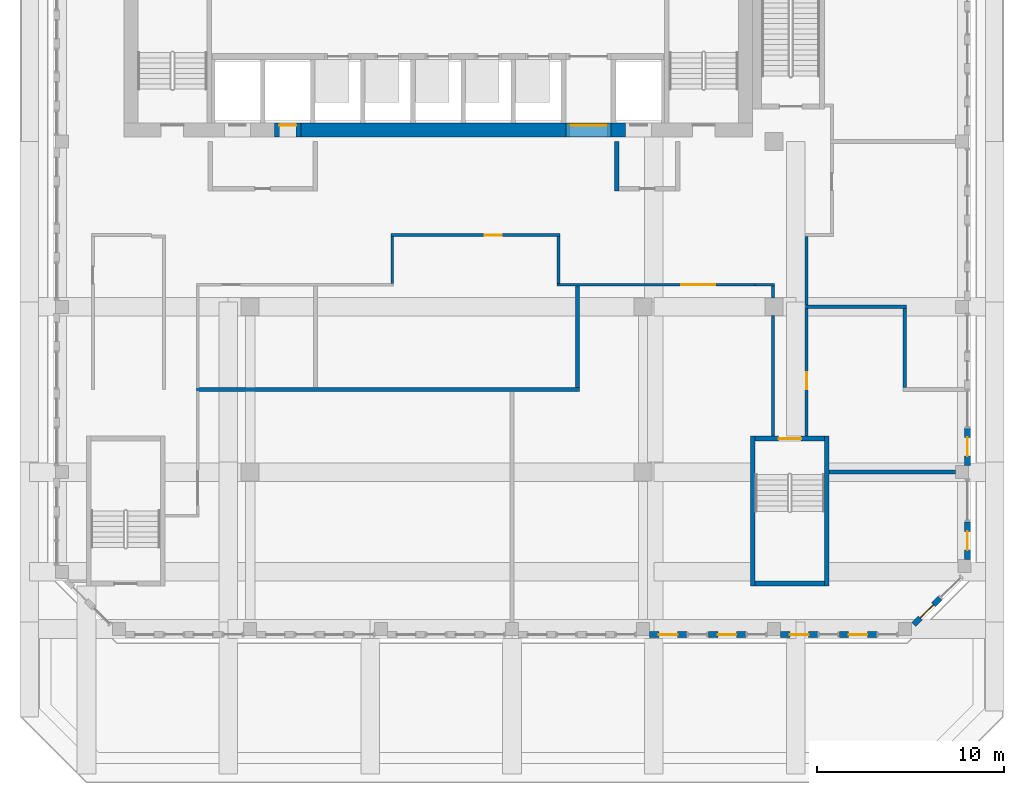
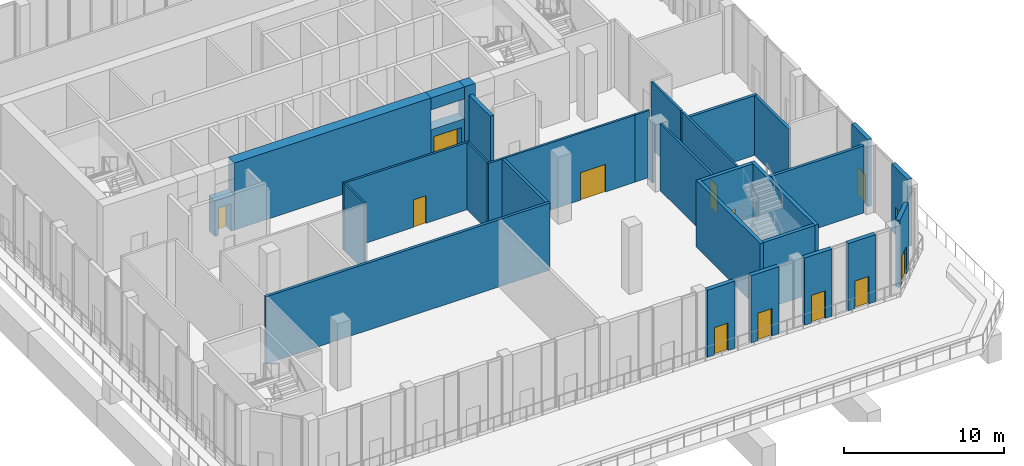
# One storey, part 10 of 18: 31 walls, 13 doors, 13 openings.
"""IFC4 building model written with IfcOpenShell, lengths in metres."""

from ifc_helpers import new_model, si_unit, direction, frame, frame_2d, origin, place, context, subcontext, project, spatial, rectangle, extrude, source, transform, mapped, material, layer, layer_set, type_object, element, fill, save


model = new_model("IFC4")

# Units and contexts
model_context = context("Model", 3, precision=1e-05, world=origin(), true_north=direction((0.0, 1.0)))
body_context = subcontext(model_context, "Body", "Model", "MODEL_VIEW")
ifc_project = project(units=[si_unit("LENGTHUNIT", "METRE"), si_unit("AREAUNIT", "SQUARE_METRE"), si_unit("VOLUMEUNIT", "CUBIC_METRE"), si_unit("PLANEANGLEUNIT", "RADIAN"), si_unit("MASSUNIT", "GRAM", prefix="KILO")], contexts=[model_context])

# Site, building, storey
site_placement = place(None, origin())
site = spatial("IfcSite", under=ifc_project, at=site_placement, CompositionType="ELEMENT")
building_placement = place(site_placement, origin())
building = spatial("IfcBuilding", under=site, at=building_placement, Name="Kilnfold Tower and Market Hall", CompositionType="ELEMENT")
storey_placement = place(building_placement, frame((0.0, 0.0, 233.60009765625)))
storey = spatial("IfcBuildingStorey", under=building, at=storey_placement, Name="L56", CompositionType="ELEMENT", Elevation=233.60009765625)

# Wall, opening, door
ifc_material_1 = material(Name="Gypsum board on steel studs", Category="steel")
ifc_layer_1 = layer(ifc_material_1, 0.14990234375)
ifc_layer_set_1 = layer_set([ifc_layer_1], Name="Gypsum board on steel studs")
wall_type_1 = type_object("IfcWallType", Name="WALL CORRIDOR 150", PredefinedType="PARTITIONING", material=ifc_layer_set_1)
wall_1_placement = place(storey_placement, frame((7.405029296875, 0.35009765625, 0.0), z_axis=(0.0, 0.0, 1.0), x_axis=(1.0, 0.0, 0.0)))
wall_1 = element("IfcWall", 1, at=wall_1_placement, inside=storey, type_object=wall_type_1, Name="Partition LY34.10", PredefinedType="PARTITIONING", context=body_context, shape_type="SweptSolid", body=[
    extrude(rectangle(XDim=10.573974609375, YDim=0.14990234375, at=frame_2d((5.287109375, 0.0))), origin(), (0.0, 0.0, 1.0), 5.119873046875),
])
opening_1_placement = place(wall_1_placement, frame((6.65087890625, 0.0, 0.0)))
opening_1 = element("IfcOpeningElement", 2, at=opening_1_placement, cuts=wall_1, Name="Opening D5", PredefinedType="OPENING", context=body_context, shape_type="SweptSolid", body=[
    extrude(rectangle(XDim=1.800048828125, YDim=2.10009765625, at=frame_2d((0.89990234375, 1.050048828125))), frame((0.0, 0.0849609375, 0.0), z_axis=(0.0, -1.0, 0.0), x_axis=(1.0, 0.0, 0.0)), (0.0, 0.0, 1.0), 0.169921875),
])
ifc_material_2 = material(Name="Timber veneer door leaf in steel frame", Category="steel")
door_type_1 = type_object("IfcDoorType", Name="DOOR DOUBLE 1800 X2100", OperationType="NOTDEFINED", PredefinedType="DOOR", material=ifc_material_2)
door_1_placement = place(opening_1_placement, origin())
door_1 = element("IfcDoor", 3, at=door_1_placement, inside=storey, type_object=door_type_1, Name="Door D5", OperationType="DOUBLE_DOOR_SINGLE_SWING", OverallHeight=2.10009765625, OverallWidth=1.800048828125, PredefinedType="DOOR", context=body_context, shape_type="SweptSolid", body=[
    extrude(rectangle(XDim=1.800048828125, YDim=2.10009765625, at=frame_2d((0.89990234375, 1.050048828125))), frame((0.0, 0.02490234375, 0.0), z_axis=(0.0, -1.0, 0.0), x_axis=(1.0, 0.0, 0.0)), (0.0, 0.0, 1.0), 0.050048828125),
])
fill(opening_1, door_1)

# Wall
wall_2_placement = place(storey_placement, frame((7.47998046875, 2.925048828125, 0.0), z_axis=(0.0, 0.0, 1.0), x_axis=(0.0, -1.0, 0.0)))
element("IfcWall", 4, at=wall_2_placement, inside=storey, type_object=wall_type_1, Name="Partition LY34.11", PredefinedType="PARTITIONING", context=body_context, shape_type="SweptSolid", body=[
    extrude(rectangle(XDim=2.5, YDim=0.14990234375, at=frame_2d((1.25, 0.0))), origin(), (0.0, 0.0, 1.0), 5.119873046875),
])

# Wall, opening, door
wall_3_placement = place(storey_placement, frame((-1.47509765625, 3.0, 0.0), z_axis=(0.0, 0.0, 1.0), x_axis=(1.0, 0.0, 0.0)))
wall_3 = element("IfcWall", 5, at=wall_3_placement, inside=storey, type_object=wall_type_1, Name="Partition LY34.12", PredefinedType="PARTITIONING", context=body_context, shape_type="SweptSolid", body=[
    extrude(rectangle(XDim=9.030029296875, YDim=0.14990234375, at=frame_2d((4.51513671875, 0.0))), origin(), (0.0, 0.0, 1.0), 5.119873046875),
])
opening_2_placement = place(wall_3_placement, frame((5.01904296875, 0.0, 0.0)))
opening_2 = element("IfcOpeningElement", 6, at=opening_2_placement, cuts=wall_3, Name="Opening D2", PredefinedType="OPENING", context=body_context, shape_type="SweptSolid", body=[
    extrude(rectangle(XDim=0.89990234375, YDim=2.10009765625, at=frame_2d((0.449951171875, 1.050048828125))), frame((0.0, 0.0849609375, 0.0), z_axis=(0.0, -1.0, 0.0), x_axis=(1.0, 0.0, 0.0)), (0.0, 0.0, 1.0), 0.169921875),
])
ifc_material_3 = material(Name="Timber veneer door leaf in steel frame", Category="steel")
door_type_2 = type_object("IfcDoorType", Name="DOOR ROOM 900 X2100", OperationType="NOTDEFINED", PredefinedType="DOOR", material=ifc_material_3)
door_2_placement = place(opening_2_placement, origin())
door_2 = element("IfcDoor", 7, at=door_2_placement, inside=storey, type_object=door_type_2, Name="Door D2", OperationType="SINGLE_SWING_LEFT", OverallHeight=2.10009765625, OverallWidth=0.89990234375, PredefinedType="DOOR", context=body_context, shape_type="SweptSolid", body=[
    extrude(rectangle(XDim=0.89990234375, YDim=2.10009765625, at=frame_2d((0.449951171875, 1.050048828125))), frame((0.0, 0.02490234375, 0.0), z_axis=(0.0, -1.0, 0.0), x_axis=(1.0, 0.0, 0.0)), (0.0, 0.0, 1.0), 0.050048828125),
])
fill(opening_2, door_2)

# Walls
wall_4_placement = place(storey_placement, frame((-1.39990234375, 0.425048828125, 0.0), z_axis=(0.0, 0.0, 1.0), x_axis=(0.0, 1.0, 0.0)))
element("IfcWall", 8, at=wall_4_placement, inside=storey, type_object=wall_type_1, Name="Partition LY34.13", PredefinedType="PARTITIONING", context=body_context, shape_type="SweptSolid", body=[
    extrude(rectangle(XDim=2.5, YDim=0.14990234375, at=frame_2d((1.25, 0.0))), origin(), (0.0, 0.0, 1.0), 5.119873046875),
])
wall_5_placement = place(storey_placement, frame((18.949951171875, -7.75, 0.0), z_axis=(0.0, 0.0, 1.0), x_axis=(0.0, 1.0, 0.0)))
element("IfcWall", 9, at=wall_5_placement, inside=storey, type_object=wall_type_1, Name="Partition LY34.14", PredefinedType="PARTITIONING", context=body_context, shape_type="SweptSolid", body=[
    extrude(rectangle(XDim=6.44189453125, YDim=0.14990234375, at=frame_2d((3.220947265625, 0.0))), origin(), (0.0, 0.0, 1.0), 5.119873046875),
])
wall_6_placement = place(storey_placement, frame((18.949951171875, -0.35791015625, 0.0), z_axis=(0.0, 0.0, 1.0), x_axis=(0.0, 1.0, 0.0)))
element("IfcWall", 10, at=wall_6_placement, inside=storey, type_object=wall_type_1, Name="Partition LY34.15", PredefinedType="PARTITIONING", context=body_context, shape_type="SweptSolid", body=[
    extrude(rectangle(XDim=0.630859375, YDim=0.14990234375, at=frame_2d((0.3154296875, 0.0))), origin(), (0.0, 0.0, 1.0), 4.56982421875),
])
wall_7_placement = place(storey_placement, frame((17.98095703125, 0.347900390625, 0.0), z_axis=(0.0, 0.0, 1.0), x_axis=(1.0, 0.0, 0.0)))
element("IfcWall", 11, at=wall_7_placement, inside=storey, type_object=wall_type_1, Name="Partition LY34.16", PredefinedType="PARTITIONING", context=body_context, shape_type="SweptSolid", body=[
    extrude(rectangle(XDim=1.0439453125, YDim=0.14990234375, at=frame_2d((0.52197265625, 0.0))), origin(), (0.0, 0.0, 1.0), 5.119873046875),
])

# Wall, opening, door
wall_8_placement = place(storey_placement, frame((20.75, -7.75, 0.0), z_axis=(0.0, 0.0, 1.0), x_axis=(0.0, 1.0, 0.0)))
wall_8 = element("IfcWall", 12, at=wall_8_placement, inside=storey, type_object=wall_type_1, Name="Partition LY34.17", PredefinedType="PARTITIONING", context=body_context, shape_type="SweptSolid", body=[
    extrude(rectangle(XDim=6.826904296875, YDim=0.14990234375, at=frame_2d((3.41357421875, 0.0))), origin(), (0.0, 0.0, 1.0), 5.119873046875),
])
opening_3_placement = place(wall_8_placement, frame((2.510986328125, 0.0, 0.0)))
opening_3 = element("IfcOpeningElement", 13, at=opening_3_placement, cuts=wall_8, Name="Opening D2", PredefinedType="OPENING", context=body_context, shape_type="SweptSolid", body=[
    extrude(rectangle(XDim=0.89990234375, YDim=2.10009765625, at=frame_2d((0.449951171875, 1.050048828125))), frame((0.0, 0.0849609375, 0.0), z_axis=(0.0, -1.0, 0.0), x_axis=(1.0, 0.0, 0.0)), (0.0, 0.0, 1.0), 0.169921875),
])
door_3_placement = place(opening_3_placement, origin())
door_3 = element("IfcDoor", 14, at=door_3_placement, inside=storey, type_object=door_type_2, Name="Door D2", OperationType="SINGLE_SWING_RIGHT", OverallHeight=2.10009765625, OverallWidth=0.89990234375, PredefinedType="DOOR", context=body_context, shape_type="SweptSolid", body=[
    extrude(rectangle(XDim=0.89990234375, YDim=2.10009765625, at=frame_2d((0.449951171875, 1.050048828125))), frame((0.0, 0.02490234375, 0.0), z_axis=(0.0, -1.0, 0.0), x_axis=(1.0, 0.0, 0.0)), (0.0, 0.0, 1.0), 0.050048828125),
])
fill(opening_3, door_3)

# Walls
wall_9_placement = place(storey_placement, frame((20.75, -0.742919921875, 0.0), z_axis=(0.0, 0.0, 1.0), x_axis=(0.0, 1.0, 0.0)))
element("IfcWall", 15, at=wall_9_placement, inside=storey, type_object=wall_type_1, Name="Partition LY34.20", PredefinedType="PARTITIONING", context=body_context, shape_type="SweptSolid", body=[
    extrude(rectangle(XDim=3.66796875, YDim=0.14990234375, at=frame_2d((1.833984375, 0.0))), origin(), (0.0, 0.0, 1.0), 5.119873046875),
])
ifc_material_4 = material(Name="Gypsum board on steel studs", Category="steel")
ifc_layer_2 = layer(ifc_material_4, 0.199951171875)
ifc_layer_set_2 = layer_set([ifc_layer_2], Name="Gypsum board on steel studs")
wall_type_2 = type_object("IfcWallType", Name="WALL PARTY 200", PredefinedType="PARTITIONING", material=ifc_layer_set_2)
wall_10_placement = place(storey_placement, frame((-11.873046875, -5.25, 0.0), z_axis=(0.0, 0.0, 1.0), x_axis=(1.0, 0.0, 0.0)))
element("IfcWall", 16, at=wall_10_placement, inside=storey, type_object=wall_type_2, Name="Partition LY34.26", PredefinedType="PARTITIONING", context=body_context, shape_type="SweptSolid", body=[
    extrude(rectangle(XDim=20.47314453125, YDim=0.199951171875, at=frame_2d((10.236572265625, 0.0))), origin(), (0.0, 0.0, 1.0), 5.119873046875),
])
wall_11_placement = place(storey_placement, frame((8.5, -5.14990234375, 0.0), z_axis=(0.0, 0.0, 1.0), x_axis=(0.0, 1.0, 0.0)))
element("IfcWall", 17, at=wall_11_placement, inside=storey, type_object=wall_type_2, Name="Partition LY34.29", PredefinedType="PARTITIONING", context=body_context, shape_type="SweptSolid", body=[
    extrude(rectangle(XDim=5.4228515625, YDim=0.199951171875, at=frame_2d((2.71142578125, 0.0))), origin(), (0.0, 0.0, 1.0), 5.119873046875),
])
wall_12_placement = place(storey_placement, frame((28.699951171875, -9.6669921875, 0.0), z_axis=(0.0, 0.0, 1.0), x_axis=(-1.0, 0.0, 0.0)))
element("IfcWall", 18, at=wall_12_placement, inside=storey, type_object=wall_type_2, Name="Partition LY34.30", PredefinedType="PARTITIONING", context=body_context, shape_type="SweptSolid", body=[
    extrude(rectangle(XDim=6.75, YDim=0.199951171875, at=frame_2d((3.375, 0.0))), origin(), (0.0, 0.0, 1.0), 5.119873046875),
])
wall_13_placement = place(storey_placement, frame((26.10009765625, -0.8330078125, 0.0), z_axis=(0.0, 0.0, 1.0), x_axis=(-1.0, 0.0, 0.0)))
element("IfcWall", 19, at=wall_13_placement, inside=storey, type_object=wall_type_2, Name="Partition LY34.31", PredefinedType="PARTITIONING", context=body_context, shape_type="SweptSolid", body=[
    extrude(rectangle(XDim=5.423095703125, YDim=0.199951171875, at=frame_2d((2.71142578125, 0.0))), origin(), (0.0, 0.0, 1.0), 4.56982421875),
])
wall_14_placement = place(storey_placement, frame((26.0, -5.14990234375, 0.0), z_axis=(0.0, 0.0, 1.0), x_axis=(0.0, 1.0, 0.0)))
element("IfcWall", 20, at=wall_14_placement, inside=storey, type_object=wall_type_2, Name="Partition LY34.32", PredefinedType="PARTITIONING", context=body_context, shape_type="SweptSolid", body=[
    extrude(rectangle(XDim=4.216796875, YDim=0.199951171875, at=frame_2d((2.1083984375, 0.0))), origin(), (0.0, 0.0, 1.0), 4.56982421875),
])
ifc_material_5 = material(Name="Concrete C60", Category="concrete")
ifc_layer_3 = layer(ifc_material_5, 0.75)
ifc_layer_set_3 = layer_set([ifc_layer_3], Name="Concrete C60")
wall_type_3 = type_object("IfcWallType", Name="CORE WALL 750 C60", PredefinedType="SHEAR", material=ifc_layer_set_3)
shared_shape_1 = source(origin(), body_context, "Body", "SweptSolid", [
    extrude(rectangle(XDim=14.179931640625, YDim=0.75, at=frame_2d((7.08984375, 0.0))), origin(), (0.0, 0.0, 1.0), 5.119873046875),
])
wall_15_placement = place(storey_placement, frame((-6.2900390625, 8.625, 0.0), z_axis=(0.0, 0.0, 1.0), x_axis=(1.0, 0.0, 0.0)))
element("IfcWall", 21, at=wall_15_placement, inside=storey, type_object=wall_type_3, Name="Core outer wall south", PredefinedType="SHEAR", context=body_context, shape_type="MappedRepresentation", body=[
    mapped(shared_shape_1, transform((0.0, 0.0, 0.0))),
])
shared_shape_2 = source(origin(), body_context, "Body", "SweptSolid", [
    extrude(rectangle(XDim=0.780029296875, YDim=0.75, at=frame_2d((0.39013671875, 0.0))), origin(), (0.0, 0.0, 1.0), 5.119873046875),
])
wall_16_placement = place(storey_placement, frame((10.2900390625, 8.625, 0.0), z_axis=(0.0, 0.0, 1.0), x_axis=(1.0, 0.0, 0.0)))
element("IfcWall", 22, at=wall_16_placement, inside=storey, type_object=wall_type_3, Name="Core outer wall south", PredefinedType="SHEAR", context=body_context, shape_type="MappedRepresentation", body=[
    mapped(shared_shape_2, transform((0.0, 0.0, 0.0))),
])
ifc_material_6 = material(Name="Concrete C60", Category="concrete")
ifc_layer_4 = layer(ifc_material_6, 0.25)
ifc_layer_set_4 = layer_set([ifc_layer_4], Name="Concrete C60")
wall_type_4 = type_object("IfcWallType", Name="CORE WALL 250 C60", PredefinedType="SHEAR", material=ifc_layer_set_4)
shared_shape_3 = source(origin(), body_context, "Body", "SweptSolid", [
    extrude(rectangle(XDim=3.699951171875, YDim=0.25, at=frame_2d((1.85009765625, 0.0))), origin(), (0.0, 0.0, 1.0), 5.119873046875),
])
wall_17_placement = place(storey_placement, frame((18.0, -15.625, 0.0), z_axis=(0.0, 0.0, 1.0), x_axis=(1.0, 0.0, 0.0)))
element("IfcWall", 23, at=wall_17_placement, inside=storey, type_object=wall_type_4, Name="Stair enclosure ST4", PredefinedType="SHEAR", context=body_context, shape_type="MappedRepresentation", body=[
    mapped(shared_shape_3, transform((0.0, 0.0, 0.0))),
])

# Wall, opening, door
wall_18_placement = place(storey_placement, frame((18.0, -7.875, 0.0), z_axis=(0.0, 0.0, 1.0), x_axis=(1.0, 0.0, 0.0)))
wall_18 = element("IfcWall", 24, at=wall_18_placement, inside=storey, type_object=wall_type_4, Name="Stair enclosure ST4", PredefinedType="SHEAR", context=body_context, shape_type="MappedRepresentation", body=[
    mapped(shared_shape_3, transform((0.0, 0.0, 0.0))),
])
opening_4_placement = place(wall_18_placement, frame((1.25, 0.0, 0.0)))
opening_4 = element("IfcOpeningElement", 25, at=opening_4_placement, cuts=wall_18, Name="Opening SD1", PredefinedType="OPENING", context=body_context, shape_type="SweptSolid", body=[
    extrude(rectangle(XDim=1.199951171875, YDim=2.10009765625, at=frame_2d((0.60009765625, 1.050048828125))), frame((0.0, 0.135009765625, 0.0), z_axis=(0.0, -1.0, 0.0), x_axis=(1.0, 0.0, 0.0)), (0.0, 0.0, 1.0), 0.27001953125),
])
ifc_material_7 = material(Name="Steel door set with fire-resisting leaf", Category="steel")
door_type_3 = type_object("IfcDoorType", Name="STAIR FLOOR DOOR 1200X2100", OperationType="NOTDEFINED", PredefinedType="DOOR", material=ifc_material_7)
door_4_placement = place(opening_4_placement, origin())
door_4 = element("IfcDoor", 26, at=door_4_placement, inside=storey, type_object=door_type_3, Name="Exit stair ST4 door", OperationType="DOUBLE_DOOR_SINGLE_SWING", OverallHeight=2.10009765625, OverallWidth=1.199951171875, PredefinedType="DOOR", context=body_context, shape_type="SweptSolid", body=[
    extrude(rectangle(XDim=1.199951171875, YDim=2.10009765625, at=frame_2d((0.60009765625, 1.050048828125))), frame((0.0, 0.02490234375, 0.0), z_axis=(0.0, -1.0, 0.0), x_axis=(1.0, 0.0, 0.0)), (0.0, 0.0, 1.0), 0.050048828125),
])
fill(opening_4, door_4)

# Walls
shared_shape_4 = source(origin(), body_context, "Body", "SweptSolid", [
    extrude(rectangle(XDim=8.0, YDim=0.25, at=frame_2d((4.0, 0.0))), origin(), (0.0, 0.0, 1.0), 5.119873046875),
])
for number, where, z_axis, x_axis, name in (
    (27, (17.875, -15.75, 0.0), (0.0, 0.0, 1.0), (0.0, 1.0, 0.0), "Stair enclosure ST4"),
    (28, (21.824951171875, -15.75, 0.0), (0.0, 0.0, 1.0), (0.0, 1.0, 0.0), "Stair enclosure ST4"),
):
    element("IfcWall", number, at=place(storey_placement, frame(where, z_axis=z_axis, x_axis=x_axis)), inside=storey, type_object=wall_type_4, Name=name, PredefinedType="SHEAR", context=body_context, shape_type="MappedRepresentation", body=[
        mapped(shared_shape_4, transform((0.0, 0.0, 0.0))),
    ])
shared_shape_5 = source(origin(), body_context, "Body", "SweptSolid", [
    extrude(rectangle(XDim=2.400146484375, YDim=0.75, at=frame_2d((1.2001953125, 0.0))), origin(), (0.0, 0.0, 1.0), 0.919921875),
])
wall_19_placement = place(storey_placement, frame((7.889892578125, 8.625, 4.199951171875), z_axis=(0.0, 0.0, 1.0), x_axis=(1.0, 0.0, 0.0)))
element("IfcWall", 29, at=wall_19_placement, inside=storey, type_object=wall_type_3, Name="Core wall over opening", PredefinedType="SHEAR", context=body_context, shape_type="MappedRepresentation", body=[
    mapped(shared_shape_5, transform((0.0, 0.0, 0.0))),
])

# Wall, opening, door
ifc_material_8 = material(Name="Precast concrete C50/60", Category="concrete")
ifc_layer_5 = layer(ifc_material_8, 0.300048828125)
ifc_layer_set_5 = layer_set([ifc_layer_5], Name="Precast concrete C50/60")
wall_type_5 = type_object("IfcWallType", Name="PRECAST WALL 300", PredefinedType="SOLIDWALL", material=ifc_layer_set_5)
shared_shape_6 = source(origin(), body_context, "Body", "SweptSolid", [
    extrude(rectangle(XDim=2.0, YDim=0.300048828125, at=frame_2d((1.0, 0.0))), origin(), (0.0, 0.0, 1.0), 5.119873046875),
])
wall_20_placement = place(storey_placement, frame((12.35009765625, -18.35009765625, 0.0), z_axis=(0.0, 0.0, 1.0), x_axis=(1.0, 0.0, 0.0)))
wall_20 = element("IfcWall", 30, at=wall_20_placement, inside=storey, type_object=wall_type_5, Name="External wall L56 S", PredefinedType="SOLIDWALL", context=body_context, shape_type="MappedRepresentation", body=[
    mapped(shared_shape_6, transform((0.0, 0.0, 0.0))),
])
opening_5_placement = place(wall_20_placement, frame((0.5, 0.0, 0.0)))
opening_5 = element("IfcOpeningElement", 31, at=opening_5_placement, cuts=wall_20, Name="Opening BD1", PredefinedType="OPENING", context=body_context, shape_type="SweptSolid", body=[
    extrude(rectangle(XDim=1.0, YDim=2.10009765625, at=frame_2d((0.5, 1.050048828125))), frame((0.0, 0.16015625, 0.0), z_axis=(0.0, -1.0, 0.0), x_axis=(1.0, 0.0, 0.0)), (0.0, 0.0, 1.0), 0.320068359375),
])
ifc_material_9 = material(Name="Aluminium frame and double glazing", Category="aluminium")
door_type_4 = type_object("IfcDoorType", Name="BALCONY DOOR 1000X2100", OperationType="NOTDEFINED", PredefinedType="DOOR", material=ifc_material_9)
door_5_placement = place(opening_5_placement, origin())
door_5 = element("IfcDoor", 32, at=door_5_placement, inside=storey, type_object=door_type_4, Name="Balcony door BD1 L56 S-1", OperationType="SINGLE_SWING_LEFT", OverallHeight=2.10009765625, OverallWidth=1.0, PredefinedType="DOOR", context=body_context, shape_type="SweptSolid", body=[
    extrude(rectangle(XDim=1.0, YDim=2.10009765625, at=frame_2d((0.5, 1.050048828125))), frame((0.0, 0.02490234375, 0.0), z_axis=(0.0, -1.0, 0.0), x_axis=(1.0, 0.0, 0.0)), (0.0, 0.0, 1.0), 0.050048828125),
])
fill(opening_5, door_5)

wall_21_placement = place(storey_placement, frame((15.5, -18.35009765625, 0.0), z_axis=(0.0, 0.0, 1.0), x_axis=(1.0, 0.0, 0.0)))
wall_21 = element("IfcWall", 33, at=wall_21_placement, inside=storey, type_object=wall_type_5, Name="External wall L56 S", PredefinedType="SOLIDWALL", context=body_context, shape_type="MappedRepresentation", body=[
    mapped(shared_shape_6, transform((0.0, 0.0, 0.0))),
])
opening_6_placement = place(wall_21_placement, frame((0.5, 0.0, 0.0)))
opening_6 = element("IfcOpeningElement", 34, at=opening_6_placement, cuts=wall_21, Name="Opening BD1", PredefinedType="OPENING", context=body_context, shape_type="SweptSolid", body=[
    extrude(rectangle(XDim=1.0, YDim=2.10009765625, at=frame_2d((0.5, 1.050048828125))), frame((0.0, 0.16015625, 0.0), z_axis=(0.0, -1.0, 0.0), x_axis=(1.0, 0.0, 0.0)), (0.0, 0.0, 1.0), 0.320068359375),
])
door_6_placement = place(opening_6_placement, origin())
door_6 = element("IfcDoor", 35, at=door_6_placement, inside=storey, type_object=door_type_4, Name="Balcony door BD1 L56 S-2", OperationType="SINGLE_SWING_RIGHT", OverallHeight=2.10009765625, OverallWidth=1.0, PredefinedType="DOOR", context=body_context, shape_type="SweptSolid", body=[
    extrude(rectangle(XDim=1.0, YDim=2.10009765625, at=frame_2d((0.5, 1.050048828125))), frame((0.0, 0.02490234375, 0.0), z_axis=(0.0, -1.0, 0.0), x_axis=(1.0, 0.0, 0.0)), (0.0, 0.0, 1.0), 0.050048828125),
])
fill(opening_6, door_6)

wall_22_placement = place(storey_placement, frame((19.35009765625, -18.35009765625, 0.0), z_axis=(0.0, 0.0, 1.0), x_axis=(1.0, 0.0, 0.0)))
wall_22 = element("IfcWall", 36, at=wall_22_placement, inside=storey, type_object=wall_type_5, Name="External wall L56 S", PredefinedType="SOLIDWALL", context=body_context, shape_type="MappedRepresentation", body=[
    mapped(shared_shape_6, transform((0.0, 0.0, 0.0))),
])
opening_7_placement = place(wall_22_placement, frame((0.5, 0.0, 0.0)))
opening_7 = element("IfcOpeningElement", 37, at=opening_7_placement, cuts=wall_22, Name="Opening BD1", PredefinedType="OPENING", context=body_context, shape_type="SweptSolid", body=[
    extrude(rectangle(XDim=1.0, YDim=2.10009765625, at=frame_2d((0.5, 1.050048828125))), frame((0.0, 0.16015625, 0.0), z_axis=(0.0, -1.0, 0.0), x_axis=(1.0, 0.0, 0.0)), (0.0, 0.0, 1.0), 0.320068359375),
])
door_7_placement = place(opening_7_placement, origin())
door_7 = element("IfcDoor", 38, at=door_7_placement, inside=storey, type_object=door_type_4, Name="Balcony door BD1 L56 S-1", OperationType="SINGLE_SWING_LEFT", OverallHeight=2.10009765625, OverallWidth=1.0, PredefinedType="DOOR", context=body_context, shape_type="SweptSolid", body=[
    extrude(rectangle(XDim=1.0, YDim=2.10009765625, at=frame_2d((0.5, 1.050048828125))), frame((0.0, 0.02490234375, 0.0), z_axis=(0.0, -1.0, 0.0), x_axis=(1.0, 0.0, 0.0)), (0.0, 0.0, 1.0), 0.050048828125),
])
fill(opening_7, door_7)

wall_23_placement = place(storey_placement, frame((22.5, -18.35009765625, 0.0), z_axis=(0.0, 0.0, 1.0), x_axis=(1.0, 0.0, 0.0)))
wall_23 = element("IfcWall", 39, at=wall_23_placement, inside=storey, type_object=wall_type_5, Name="External wall L56 S", PredefinedType="SOLIDWALL", context=body_context, shape_type="MappedRepresentation", body=[
    mapped(shared_shape_6, transform((0.0, 0.0, 0.0))),
])
opening_8_placement = place(wall_23_placement, frame((0.5, 0.0, 0.0)))
opening_8 = element("IfcOpeningElement", 40, at=opening_8_placement, cuts=wall_23, Name="Opening BD1", PredefinedType="OPENING", context=body_context, shape_type="SweptSolid", body=[
    extrude(rectangle(XDim=1.0, YDim=2.10009765625, at=frame_2d((0.5, 1.050048828125))), frame((0.0, 0.16015625, 0.0), z_axis=(0.0, -1.0, 0.0), x_axis=(1.0, 0.0, 0.0)), (0.0, 0.0, 1.0), 0.320068359375),
])
door_8_placement = place(opening_8_placement, origin())
door_8 = element("IfcDoor", 41, at=door_8_placement, inside=storey, type_object=door_type_4, Name="Balcony door BD1 L56 S-2", OperationType="SINGLE_SWING_RIGHT", OverallHeight=2.10009765625, OverallWidth=1.0, PredefinedType="DOOR", context=body_context, shape_type="SweptSolid", body=[
    extrude(rectangle(XDim=1.0, YDim=2.10009765625, at=frame_2d((0.5, 1.050048828125))), frame((0.0, 0.02490234375, 0.0), z_axis=(0.0, -1.0, 0.0), x_axis=(1.0, 0.0, 0.0)), (0.0, 0.0, 1.0), 0.050048828125),
])
fill(opening_8, door_8)

wall_24_placement = place(storey_placement, frame((26.468994140625, -17.81884765625, 0.0), z_axis=(0.0, 0.0, 1.0), x_axis=(0.70716781496, 0.707045742145, 0.0)))
wall_24 = element("IfcWall", 42, at=wall_24_placement, inside=storey, type_object=wall_type_5, Name="External wall L56 SE", PredefinedType="SOLIDWALL", context=body_context, shape_type="MappedRepresentation", body=[
    mapped(shared_shape_6, transform((0.0, 0.0, 0.0))),
])
opening_9_placement = place(wall_24_placement, frame((0.5, 0.0, 0.0)))
opening_9 = element("IfcOpeningElement", 43, at=opening_9_placement, cuts=wall_24, Name="Opening BD1", PredefinedType="OPENING", context=body_context, shape_type="SweptSolid", body=[
    extrude(rectangle(XDim=1.0, YDim=2.10009765625, at=frame_2d((0.5, 1.050048828125))), frame((0.0, 0.16015625, 0.0), z_axis=(0.0, -1.0, 0.0), x_axis=(1.0, 0.0, 0.0)), (0.0, 0.0, 1.0), 0.320068359375),
])
door_9_placement = place(opening_9_placement, origin())
door_9 = element("IfcDoor", 44, at=door_9_placement, inside=storey, type_object=door_type_4, Name="Balcony door BD1 L56 SE-1", OperationType="SINGLE_SWING_LEFT", OverallHeight=2.10009765625, OverallWidth=1.0, PredefinedType="DOOR", context=body_context, shape_type="SweptSolid", body=[
    extrude(rectangle(XDim=1.0, YDim=2.10009765625, at=frame_2d((0.5, 1.050048828125))), frame((0.0, 0.02490234375, 0.0), z_axis=(0.0, -1.0, 0.0), x_axis=(1.0, 0.0, 0.0)), (0.0, 0.0, 1.0), 0.050048828125),
])
fill(opening_9, door_9)

wall_25_placement = place(storey_placement, frame((29.35009765625, -14.331787109375, 0.0), z_axis=(0.0, 0.0, 1.0), x_axis=(0.0, 1.0, 0.0)))
wall_25 = element("IfcWall", 45, at=wall_25_placement, inside=storey, type_object=wall_type_5, Name="External wall L56 E", PredefinedType="SOLIDWALL", context=body_context, shape_type="MappedRepresentation", body=[
    mapped(shared_shape_6, transform((0.0, 0.0, 0.0))),
])
opening_10_placement = place(wall_25_placement, frame((0.5, 0.0, 0.0)))
opening_10 = element("IfcOpeningElement", 46, at=opening_10_placement, cuts=wall_25, Name="Opening BD1", PredefinedType="OPENING", context=body_context, shape_type="SweptSolid", body=[
    extrude(rectangle(XDim=1.0, YDim=2.10009765625, at=frame_2d((0.5, 1.050048828125))), frame((0.0, 0.16015625, 0.0), z_axis=(0.0, -1.0, 0.0), x_axis=(1.0, 0.0, 0.0)), (0.0, 0.0, 1.0), 0.320068359375),
])
door_10_placement = place(opening_10_placement, origin())
door_10 = element("IfcDoor", 47, at=door_10_placement, inside=storey, type_object=door_type_4, Name="Balcony door BD1 L56 E-1", OperationType="SINGLE_SWING_LEFT", OverallHeight=2.10009765625, OverallWidth=1.0, PredefinedType="DOOR", context=body_context, shape_type="SweptSolid", body=[
    extrude(rectangle(XDim=1.0, YDim=2.10009765625, at=frame_2d((0.5, 1.050048828125))), frame((0.0, 0.02490234375, 0.0), z_axis=(0.0, -1.0, 0.0), x_axis=(1.0, 0.0, 0.0)), (0.0, 0.0, 1.0), 0.050048828125),
])
fill(opening_10, door_10)

wall_26_placement = place(storey_placement, frame((29.35009765625, -9.316650390625, 0.0), z_axis=(0.0, 0.0, 1.0), x_axis=(0.0, 1.0, 0.0)))
wall_26 = element("IfcWall", 48, at=wall_26_placement, inside=storey, type_object=wall_type_5, Name="External wall L56 E", PredefinedType="SOLIDWALL", context=body_context, shape_type="MappedRepresentation", body=[
    mapped(shared_shape_6, transform((0.0, 0.0, 0.0))),
])
opening_11_placement = place(wall_26_placement, frame((0.5, 0.0, 0.0)))
opening_11 = element("IfcOpeningElement", 49, at=opening_11_placement, cuts=wall_26, Name="Opening BD1", PredefinedType="OPENING", context=body_context, shape_type="SweptSolid", body=[
    extrude(rectangle(XDim=1.0, YDim=2.10009765625, at=frame_2d((0.5, 1.050048828125))), frame((0.0, 0.16015625, 0.0), z_axis=(0.0, -1.0, 0.0), x_axis=(1.0, 0.0, 0.0)), (0.0, 0.0, 1.0), 0.320068359375),
])
door_11_placement = place(opening_11_placement, origin())
door_11 = element("IfcDoor", 50, at=door_11_placement, inside=storey, type_object=door_type_4, Name="Balcony door BD1 L56 E-1", OperationType="SINGLE_SWING_LEFT", OverallHeight=2.10009765625, OverallWidth=1.0, PredefinedType="DOOR", context=body_context, shape_type="SweptSolid", body=[
    extrude(rectangle(XDim=1.0, YDim=2.10009765625, at=frame_2d((0.5, 1.050048828125))), frame((0.0, 0.02490234375, 0.0), z_axis=(0.0, -1.0, 0.0), x_axis=(1.0, 0.0, 0.0)), (0.0, 0.0, 1.0), 0.050048828125),
])
fill(opening_11, door_11)

ifc_material_10 = material(Name="Gypsum shaft wall system")
ifc_layer_6 = layer(ifc_material_10, 0.75)
ifc_layer_set_6 = layer_set([ifc_layer_6], Name="Gypsum shaft wall system")
wall_type_6 = type_object("IfcWallType", Name="LOBBY WALL 750", PredefinedType="PARTITIONING", material=ifc_layer_set_6)
shared_shape_7 = source(origin(), body_context, "Body", "SweptSolid", [
    extrude(rectangle(XDim=1.39990234375, YDim=0.75, at=frame_2d((0.699951171875, 0.0))), origin(), (0.0, 0.0, 1.0), 2.699951171875),
])
wall_27_placement = place(storey_placement, frame((-7.68994140625, 8.625, 0.0), z_axis=(0.0, 0.0, 1.0), x_axis=(1.0, 0.0, 0.0)))
wall_27 = element("IfcWall", 51, at=wall_27_placement, inside=storey, type_object=wall_type_6, Name="Core wall infill", PredefinedType="PARTITIONING", context=body_context, shape_type="MappedRepresentation", body=[
    mapped(shared_shape_7, transform((0.0, 0.0, 0.0))),
])
opening_12_placement = place(wall_27_placement, frame((0.25, 0.0, 0.0)))
opening_12 = element("IfcOpeningElement", 52, at=opening_12_placement, cuts=wall_27, Name="Opening LD1", PredefinedType="OPENING", context=body_context, shape_type="SweptSolid", body=[
    extrude(rectangle(XDim=0.89990234375, YDim=2.10009765625, at=frame_2d((0.449951171875, 1.050048828125))), frame((0.0, 0.385009765625, 0.0), z_axis=(0.0, -1.0, 0.0), x_axis=(1.0, 0.0, 0.0)), (0.0, 0.0, 1.0), 0.77001953125),
])
ifc_material_11 = material(Name="Steel door set with fire-resisting leaf", Category="steel")
door_type_5 = type_object("IfcDoorType", Name="FIREFIGHTING LANDING DOOR 900X2100", OperationType="NOTDEFINED", PredefinedType="DOOR", material=ifc_material_11)
door_12_placement = place(opening_12_placement, origin())
door_12 = element("IfcDoor", 53, at=door_12_placement, inside=storey, type_object=door_type_5, Name="Landing door FF2", OperationType="SLIDING_TO_RIGHT", OverallHeight=2.10009765625, OverallWidth=0.89990234375, PredefinedType="DOOR", context=body_context, shape_type="SweptSolid", body=[
    extrude(rectangle(XDim=0.89990234375, YDim=2.10009765625, at=frame_2d((0.449951171875, 1.050048828125))), frame((0.0, 0.27978515625, 0.0), z_axis=(0.0, -1.0, 0.0), x_axis=(1.0, 0.0, 0.0)), (0.0, 0.0, 1.0), 0.050048828125),
])
fill(opening_12, door_12)

shared_shape_8 = source(origin(), body_context, "Body", "SweptSolid", [
    extrude(rectangle(XDim=2.400146484375, YDim=0.75, at=frame_2d((1.2001953125, 0.0))), origin(), (0.0, 0.0, 1.0), 2.699951171875),
])
wall_28_placement = place(storey_placement, frame((7.889892578125, 8.625, 0.0), z_axis=(0.0, 0.0, 1.0), x_axis=(1.0, 0.0, 0.0)))
wall_28 = element("IfcWall", 54, at=wall_28_placement, inside=storey, type_object=wall_type_6, Name="Core wall infill", PredefinedType="PARTITIONING", context=body_context, shape_type="MappedRepresentation", body=[
    mapped(shared_shape_8, transform((0.0, 0.0, 0.0))),
])
opening_13_placement = place(wall_28_placement, frame((0.199951171875, 0.0, 0.0)))
opening_13 = element("IfcOpeningElement", 55, at=opening_13_placement, cuts=wall_28, Name="Opening VD2", PredefinedType="OPENING", context=body_context, shape_type="SweptSolid", body=[
    extrude(rectangle(XDim=2.0, YDim=2.10009765625, at=frame_2d((1.0, 1.050048828125))), frame((0.0, 0.385009765625, 0.0), z_axis=(0.0, -1.0, 0.0), x_axis=(1.0, 0.0, 0.0)), (0.0, 0.0, 1.0), 0.77001953125),
])
ifc_material_12 = material(Name="Steel door set with fire-resisting leaf", Category="steel")
door_type_6 = type_object("IfcDoorType", Name="LIFT LOBBY ENTRANCE DOOR 2000X2100", OperationType="NOTDEFINED", PredefinedType="DOOR", material=ifc_material_12)
door_13_placement = place(opening_13_placement, origin())
door_13 = element("IfcDoor", 56, at=door_13_placement, inside=storey, type_object=door_type_6, Name="Lift lobby entrance door", OperationType="DOUBLE_DOOR_SINGLE_SWING", OverallHeight=2.10009765625, OverallWidth=2.0, PredefinedType="DOOR", context=body_context, shape_type="SweptSolid", body=[
    extrude(rectangle(XDim=2.0, YDim=2.10009765625, at=frame_2d((1.0, 1.050048828125))), frame((0.0, 0.27978515625, 0.0), z_axis=(0.0, -1.0, 0.0), x_axis=(1.0, 0.0, 0.0)), (0.0, 0.0, 1.0), 0.050048828125),
])
fill(opening_13, door_13)

# Wall
ifc_material_13 = material(Name="Gypsum shaft wall system")
ifc_layer_7 = layer(ifc_material_13, 0.25)
ifc_layer_set_7 = layer_set([ifc_layer_7], Name="Gypsum shaft wall system")
wall_type_7 = type_object("IfcWallType", Name="LOBBY WALL 250", PredefinedType="PARTITIONING", material=ifc_layer_set_7)
shared_shape_9 = source(origin(), body_context, "Body", "SweptSolid", [
    extrude(rectangle(XDim=2.64990234375, YDim=0.25, at=frame_2d((1.324951171875, 0.0))), origin(), (0.0, 0.0, 1.0), 4.56982421875),
])
wall_29_placement = place(storey_placement, frame((10.60498046875, 5.35009765625, 0.0), z_axis=(0.0, 0.0, 1.0), x_axis=(0.0, 1.0, 0.0)))
element("IfcWall", 57, at=wall_29_placement, inside=storey, type_object=wall_type_7, Name="Firefighting lobby wall", PredefinedType="PARTITIONING", context=body_context, shape_type="MappedRepresentation", body=[
    mapped(shared_shape_9, transform((0.0, 0.0, 0.0))),
])

save(model, "model.ifc")
